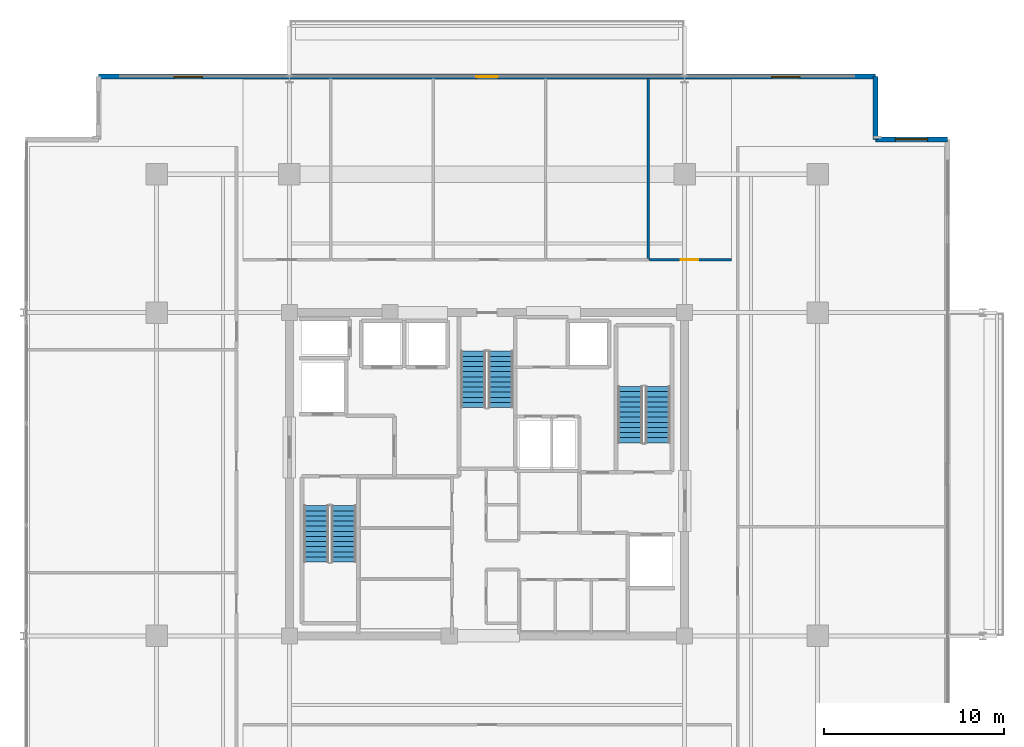
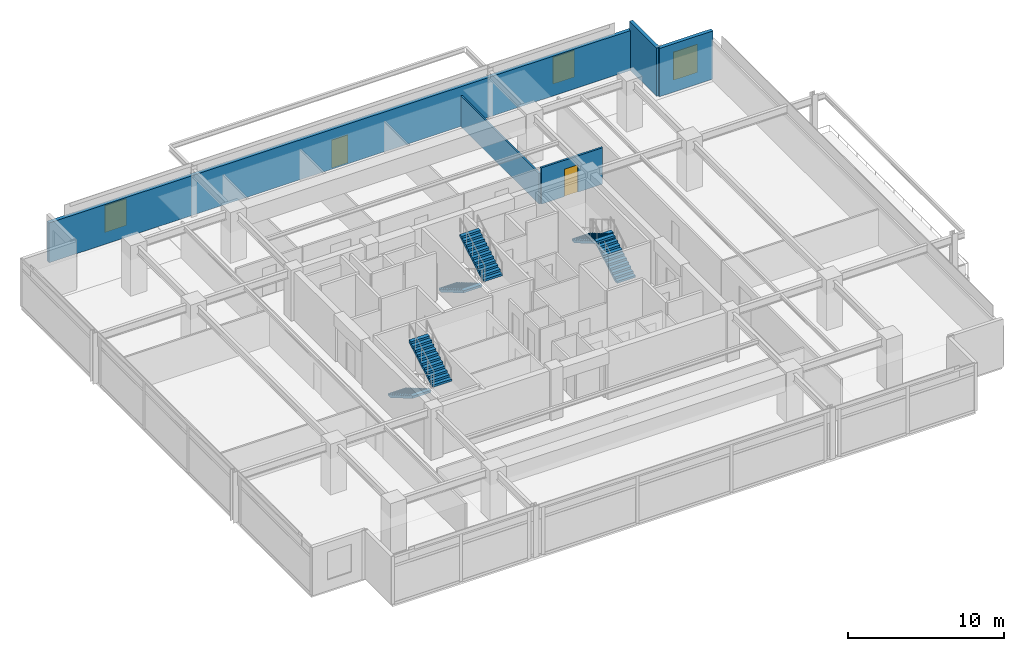
# One storey, part 17 of 21: 6 stair flights, 5 walls, 3 windows, 2 doors, 5 openings, 3 elements without a shape of their own.
"""IFC4 building model written with IfcOpenShell, lengths in metres."""

from ifc_helpers import new_model, si_unit, direction, frame, frame_2d, origin, place, context, subcontext, project, spatial, polyline, rectangle, outline, extrude, material, layer, layer_set, type_object, element, fill, aggregate, save


model = new_model("IFC4")

# Units and contexts
model_context = context("Model", 3, precision=1e-05, world=origin(), true_north=direction((0.0, 1.0)))
body_context = subcontext(model_context, "Body", "Model", "MODEL_VIEW")
ifc_project = project(units=[si_unit("LENGTHUNIT", "METRE"), si_unit("AREAUNIT", "SQUARE_METRE"), si_unit("VOLUMEUNIT", "CUBIC_METRE"), si_unit("PLANEANGLEUNIT", "RADIAN"), si_unit("MASSUNIT", "GRAM", prefix="KILO")], contexts=[model_context])

# Site, building, storey
site_placement = place(None, origin())
site = spatial("IfcSite", under=ifc_project, at=site_placement, CompositionType="ELEMENT")
building_placement = place(site_placement, origin())
building = spatial("IfcBuilding", under=site, at=building_placement, Name="Kovane Verandah Tower", CompositionType="ELEMENT")
storey_placement = place(building_placement, frame((0.0, 0.0, 283.199951171875)))
storey = spatial("IfcBuildingStorey", under=building, at=storey_placement, Name="L66", CompositionType="ELEMENT", Elevation=283.199951171875)

# Wall, opening, door
ifc_material_1 = material(Name="Fire-Rated Gypsum Stud Partition", Category="gypsum")
ifc_layer_1 = layer(ifc_material_1, 0.14990234375)
ifc_layer_set_1 = layer_set([ifc_layer_1], Name="Fire-Rated Gypsum Stud Partition")
wall_type_1 = type_object("IfcWallType", Name="WL-COR-150", PredefinedType="PARTITIONING", material=ifc_layer_set_1)
wall_1_placement = place(storey_placement, frame((49.0458984375, 39.449951171875, 0.0), z_axis=(0.0, 0.0, 1.0), x_axis=(1.0, 0.0, 0.0)))
wall_1 = element("IfcWall", 1, at=wall_1_placement, inside=storey, type_object=wall_type_1, Name="L66 Breakout Pantry N5 Corridor Partition", PredefinedType="PARTITIONING", context=body_context, shape_type="SweptSolid", body=[
    extrude(rectangle(XDim=4.55419921875, YDim=0.14990234375, at=frame_2d((2.277099609375, 0.0))), origin(), (0.0, 0.0, 1.0), 2.85009765625),
])
opening_1_placement = place(wall_1_placement, frame((1.72705078125, 0.0, 0.0)))
opening_1 = element("IfcOpeningElement", 2, at=opening_1_placement, cuts=wall_1, Name="Opening DR-L66-027", PredefinedType="OPENING", context=body_context, shape_type="SweptSolid", body=[
    extrude(rectangle(XDim=1.0, YDim=2.14990234375, at=frame_2d((0.5, 1.074951171875))), frame((0.0, 0.074951171875, 0.0), z_axis=(0.0, -1.0, 0.0), x_axis=(1.0, 0.0, 0.0)), (0.0, 0.0, 1.0), 0.14990234375),
])
ifc_material_2 = material(Name="FSC Spotted-Gum Timber Fire-Rated Office Door", Category="wood")
door_type_1 = type_object("IfcDoorType", Name="DR-OFF-1000", OperationType="SINGLE_SWING_LEFT", PredefinedType="DOOR", material=ifc_material_2)
door_1_placement = place(opening_1_placement, origin())
door_1 = element("IfcDoor", 3, at=door_1_placement, inside=storey, type_object=door_type_1, Name="L66 Breakout Pantry N5 Entrance Door", OperationType="SINGLE_SWING_RIGHT", OverallHeight=2.14990234375, OverallWidth=1.0, PredefinedType="DOOR", context=body_context, shape_type="SweptSolid", body=[
    extrude(rectangle(XDim=1.0, YDim=2.14990234375, at=frame_2d((0.5, 1.074951171875))), frame((0.0, 0.02490234375, 0.0), z_axis=(0.0, -1.0, 0.0), x_axis=(1.0, 0.0, 0.0)), (0.0, 0.0, 1.0), 0.050048828125),
])
fill(opening_1, door_1)

# Wall
ifc_material_3 = material(Name="Acoustic Fire-Rated Gypsum Partition", Category="gypsum")
ifc_layer_2 = layer(ifc_material_3, 0.1201171875)
ifc_layer_set_2 = layer_set([ifc_layer_2], Name="Acoustic Fire-Rated Gypsum Partition")
wall_type_2 = type_object("IfcWallType", Name="WL-PART-120", PredefinedType="PARTITIONING", material=ifc_layer_set_2)
wall_2_placement = place(storey_placement, frame((48.97607421875, 39.449951171875, 0.0), z_axis=(0.0, 0.0, 1.0), x_axis=(0.0, 1.0, 0.0)))
element("IfcWall", 4, at=wall_2_placement, inside=storey, type_object=wall_type_2, Name="L66 Focus Studio N4 Dividing Partition", PredefinedType="PARTITIONING", context=body_context, shape_type="SweptSolid", body=[
    extrude(rectangle(XDim=10.09033203125, YDim=0.1201171875, at=frame_2d((5.045166015625, 0.0))), origin(), (0.0, 0.0, 1.0), 2.4150390625),
])

# Wall, openings, door, windows
ifc_material_4 = material(Name="Concrete C45/55 Insulated Spandrel Wall", Category="concrete")
ifc_layer_3 = layer(ifc_material_4, 0.260009765625)
ifc_layer_set_3 = layer_set([ifc_layer_3], Name="Concrete C45/55 Insulated Spandrel Wall")
wall_type_3 = type_object("IfcWallType", Name="WL-SPANDREL-260", PredefinedType="PARAPET", material=ifc_layer_set_3)
wall_3_placement = place(storey_placement, frame((61.63134765625, 49.640380859375, 0.0), z_axis=(0.0, 0.0, 1.0), x_axis=(-1.0, 0.0, 0.0)))
wall_3 = element("IfcWall", 5, at=wall_3_placement, inside=storey, type_object=wall_type_3, Name="L66 N Verandah Access Facade Wall", PredefinedType="PARAPET", context=body_context, shape_type="SweptSolid", body=[
    extrude(rectangle(XDim=43.2626953125, YDim=0.260009765625, at=frame_2d((21.63134765625, 0.0))), origin(), (0.0, 0.0, 1.0), 3.122802734375),
])
opening_2_placement = place(wall_3_placement, frame((4.199951171875, 0.0, 0.85009765625)))
opening_2 = element("IfcOpeningElement", 6, at=opening_2_placement, cuts=wall_3, Name="Opening W-02", PredefinedType="OPENING", context=body_context, shape_type="SweptSolid", body=[
    extrude(rectangle(XDim=1.60009765625, YDim=2.10009765625, at=frame_2d((0.800048828125, 1.050048828125))), frame((0.0, 0.1298828125, 0.0), z_axis=(0.0, -1.0, 0.0), x_axis=(1.0, 0.0, 0.0)), (0.0, 0.0, 1.0), 0.260009765625),
])
opening_3_placement = place(wall_3_placement, frame((21.03125, 0.0, 0.0)))
opening_3 = element("IfcOpeningElement", 7, at=opening_3_placement, cuts=wall_3, Name="Opening DR-L66-002", PredefinedType="OPENING", context=body_context, shape_type="SweptSolid", body=[
    extrude(rectangle(XDim=1.199951171875, YDim=2.199951171875, at=frame_2d((0.60009765625, 1.10009765625))), frame((0.0, 0.1298828125, 0.0), z_axis=(0.0, -1.0, 0.0), x_axis=(1.0, 0.0, 0.0)), (0.0, 0.0, 1.0), 0.260009765625),
])
opening_4_placement = place(wall_3_placement, frame((37.462646484375, 0.0, 0.85009765625)))
opening_4 = element("IfcOpeningElement", 8, at=opening_4_placement, cuts=wall_3, Name="Opening W-02", PredefinedType="OPENING", context=body_context, shape_type="SweptSolid", body=[
    extrude(rectangle(XDim=1.60009765625, YDim=2.10009765625, at=frame_2d((0.800048828125, 1.050048828125))), frame((0.0, 0.1298828125, 0.0), z_axis=(0.0, -1.0, 0.0), x_axis=(1.0, 0.0, 0.0)), (0.0, 0.0, 1.0), 0.260009765625),
])
ifc_material_5 = material(Name="Cyclone-Rated Glazed Balcony Leaf Door", Category="aluminium")
door_type_2 = type_object("IfcDoorType", Name="DR-BAL-1200x2200", OperationType="SINGLE_SWING_LEFT", PredefinedType="DOOR", material=ifc_material_5)
door_2_placement = place(opening_3_placement, origin())
door_2 = element("IfcDoor", 9, at=door_2_placement, inside=storey, type_object=door_type_2, Name="L66 N Planted Balcony Access Door", OperationType="SINGLE_SWING_LEFT", OverallHeight=2.199951171875, OverallWidth=1.199951171875, PredefinedType="DOOR", context=body_context, shape_type="SweptSolid", body=[
    extrude(rectangle(XDim=1.199951171875, YDim=2.199951171875, at=frame_2d((0.60009765625, 1.10009765625))), frame((0.0, 0.02490234375, 0.0), z_axis=(0.0, -1.0, 0.0), x_axis=(1.0, 0.0, 0.0)), (0.0, 0.0, 1.0), 0.050048828125),
])
fill(opening_3, door_2)
ifc_material_6 = material(Name="Clear Low-E Laminated Double Glazing in Anodised Frame", Category="glass")
window_type_1 = type_object("IfcWindowType", Name="WN-OPER-1600x2100", PartitioningType="SINGLE_PANEL", PredefinedType="WINDOW", material=ifc_material_6)
window_1_placement = place(opening_2_placement, origin())
window_1 = element("IfcWindow", 10, at=window_1_placement, inside=storey, type_object=window_type_1, Name="L66 N Verandah View Window 1", OverallHeight=2.10009765625, OverallWidth=1.60009765625, PartitioningType="SINGLE_PANEL", PredefinedType="WINDOW", context=body_context, shape_type="SweptSolid", body=[
    extrude(rectangle(XDim=1.60009765625, YDim=2.10009765625, at=frame_2d((0.800048828125, 1.050048828125))), frame((0.0, 0.030029296875, 0.0), z_axis=(0.0, -1.0, 0.0), x_axis=(1.0, 0.0, 0.0)), (0.0, 0.0, 1.0), 0.06005859375),
])
fill(opening_2, window_1)
window_2_placement = place(opening_4_placement, origin())
window_2 = element("IfcWindow", 11, at=window_2_placement, inside=storey, type_object=window_type_1, Name="L66 N Verandah View Window 2", OverallHeight=2.10009765625, OverallWidth=1.60009765625, PartitioningType="SINGLE_PANEL", PredefinedType="WINDOW", context=body_context, shape_type="SweptSolid", body=[
    extrude(rectangle(XDim=1.60009765625, YDim=2.10009765625, at=frame_2d((0.800048828125, 1.050048828125))), frame((0.0, 0.030029296875, 0.0), z_axis=(0.0, -1.0, 0.0), x_axis=(1.0, 0.0, 0.0)), (0.0, 0.0, 1.0), 0.06005859375),
])
fill(opening_4, window_2)

# Wall, opening, window
wall_4_placement = place(storey_placement, frame((65.63134765625, 46.140380859375, 0.0), z_axis=(0.0, 0.0, 1.0), x_axis=(-1.0, 0.0, 0.0)))
wall_4 = element("IfcWall", 12, at=wall_4_placement, inside=storey, type_object=wall_type_3, Name="L66 NE Notch Cheek Wall 1", PredefinedType="PARAPET", context=body_context, shape_type="SweptSolid", body=[
    extrude(rectangle(XDim=4.0, YDim=0.260009765625, at=frame_2d((2.0, 0.0))), origin(), (0.0, 0.0, 1.0), 3.78515625),
])
opening_5_placement = place(wall_4_placement, frame((1.10009765625, 0.0, 0.85009765625)))
opening_5 = element("IfcOpeningElement", 13, at=opening_5_placement, cuts=wall_4, Name="Opening W-03", PredefinedType="OPENING", context=body_context, shape_type="SweptSolid", body=[
    extrude(rectangle(XDim=1.800048828125, YDim=2.199951171875, at=frame_2d((0.89990234375, 1.10009765625))), frame((0.0, 0.1298828125, 0.0), z_axis=(0.0, -1.0, 0.0), x_axis=(1.0, 0.0, 0.0)), (0.0, 0.0, 1.0), 0.260009765625),
])
window_type_2 = type_object("IfcWindowType", Name="WN-NOTCH-1800x2200", PartitioningType="SINGLE_PANEL", PredefinedType="WINDOW", material=ifc_material_6)
window_3_placement = place(opening_5_placement, origin())
window_3 = element("IfcWindow", 14, at=window_3_placement, inside=storey, type_object=window_type_2, Name="L66 NE Re-Entrant Corner Operable Window", OverallHeight=2.199951171875, OverallWidth=1.800048828125, PartitioningType="SINGLE_PANEL", PredefinedType="WINDOW", context=body_context, shape_type="SweptSolid", body=[
    extrude(rectangle(XDim=1.800048828125, YDim=2.199951171875, at=frame_2d((0.89990234375, 1.10009765625))), frame((0.0, 0.030029296875, 0.0), z_axis=(0.0, -1.0, 0.0), x_axis=(1.0, 0.0, 0.0)), (0.0, 0.0, 1.0), 0.06005859375),
])
fill(opening_5, window_3)

# Wall
wall_5_placement = place(storey_placement, frame((61.63134765625, 46.140380859375, 0.0), z_axis=(0.0, 0.0, 1.0), x_axis=(0.0, 1.0, 0.0)))
element("IfcWall", 15, at=wall_5_placement, inside=storey, type_object=wall_type_3, Name="L66 NE Notch Cheek Wall 2", PredefinedType="PARAPET", context=body_context, shape_type="SweptSolid", body=[
    extrude(rectangle(XDim=3.5, YDim=0.260009765625, at=frame_2d((1.75, 0.0))), origin(), (0.0, 0.0, 1.0), 3.78515625),
])

# Stair, stair flights
ifc_material_7 = material(Name="Concrete C45/55", Category="concrete")
stair_type = type_object("IfcStairType", Name="ST-CORE-1380", PredefinedType="HALF_TURN_STAIR", material=ifc_material_7)
stair_1_placement = place(storey_placement, origin())
stair_1 = element("IfcStair", 16, at=stair_1_placement, inside=storey, type_object=stair_type, Name="L66 Exit Stair ST-01", PredefinedType="HALF_TURN_STAIR")
stair_flight_type = type_object("IfcStairFlightType", Name="STF-CORE-1380", PredefinedType="STRAIGHT", material=ifc_material_7)
stair_flight_1_placement = place(storey_placement, frame((30.489990234375, 25.75, 0.0), z_axis=(0.0, 0.0, 1.0), x_axis=(0.0, -1.0, 0.0)))
stair_flight_1 = element("IfcStairFlight", 17, at=stair_flight_1_placement, type_object=stair_flight_type, Name="ST-01 flight 1", NumberOfRisers=12, NumberOfTreads=11, PredefinedType="STRAIGHT", RiserHeight=0.166666667, TreadLength=0.285, context=body_context, shape_type="SweptSolid", body=[
    extrude(outline(polyline([(0.0, 0.0), (0.0, 0.166748046875), (0.284912109375, 0.166748046875), (0.284912109375, 0.333251953125), (0.570068359375, 0.333251953125), (0.570068359375, 0.5), (0.85498046875, 0.5), (0.85498046875, 0.666748046875), (1.139892578125, 0.666748046875), (1.139892578125, 0.833251953125), (1.425048828125, 0.833251953125), (1.425048828125, 1.0), (1.7099609375, 1.0), (1.7099609375, 1.166748046875), (1.9951171875, 1.166748046875), (1.9951171875, 1.333251953125), (2.280029296875, 1.333251953125), (2.280029296875, 1.5), (2.56494140625, 1.5), (2.56494140625, 1.666748046875), (2.85009765625, 1.666748046875), (2.85009765625, 1.833251953125), (3.135009765625, 1.833251953125), (3.135009765625, 2.0), (3.135009765625, 1.65966796875), (0.296875, 0.0), (0.0, 0.0)])), frame((0.0, 0.68994140625, 0.0), z_axis=(0.0, -1.0, 0.0), x_axis=(1.0, 0.0, 0.0)), (0.0, 0.0, 1.0), 1.3798828125),
])
stair_flight_2_placement = place(storey_placement, frame((32.030029296875, 22.614990234375, 2.0), z_axis=(0.0, 0.0, 1.0), x_axis=(0.0, 1.0, 0.0)))
stair_flight_2 = element("IfcStairFlight", 18, at=stair_flight_2_placement, type_object=stair_flight_type, Name="ST-01 flight 2", NumberOfRisers=12, NumberOfTreads=11, PredefinedType="STRAIGHT", RiserHeight=0.166666667, TreadLength=0.285, context=body_context, shape_type="SweptSolid", body=[
    extrude(outline(polyline([(0.0, 0.0), (0.0, 0.166748046875), (0.284912109375, 0.166748046875), (0.284912109375, 0.333251953125), (0.570068359375, 0.333251953125), (0.570068359375, 0.5), (0.85498046875, 0.5), (0.85498046875, 0.666748046875), (1.139892578125, 0.666748046875), (1.139892578125, 0.833251953125), (1.425048828125, 0.833251953125), (1.425048828125, 1.0), (1.7099609375, 1.0), (1.7099609375, 1.166748046875), (1.9951171875, 1.166748046875), (1.9951171875, 1.333251953125), (2.280029296875, 1.333251953125), (2.280029296875, 1.5), (2.56494140625, 1.5), (2.56494140625, 1.666748046875), (2.85009765625, 1.666748046875), (2.85009765625, 1.833251953125), (3.135009765625, 1.833251953125), (3.135009765625, 2.0), (3.135009765625, 1.65966796875), (0.296875, 0.0), (0.0, 0.0)])), frame((0.0, 0.68994140625, 0.0), z_axis=(0.0, -1.0, 0.0), x_axis=(1.0, 0.0, 0.0)), (0.0, 0.0, 1.0), 1.3798828125),
])
aggregate(stair_1, [stair_flight_1, stair_flight_2])

stair_2_placement = place(storey_placement, origin())
stair_2 = element("IfcStair", 19, at=stair_2_placement, inside=storey, type_object=stair_type, Name="L66 Exit Stair ST-02", PredefinedType="HALF_TURN_STAIR")
stair_flight_3_placement = place(storey_placement, frame((49.510009765625, 29.25, 0.0), z_axis=(0.0, 0.0, 1.0), x_axis=(0.0, 1.0, 0.0)))
stair_flight_3 = element("IfcStairFlight", 20, at=stair_flight_3_placement, type_object=stair_flight_type, Name="ST-02 flight 1", NumberOfRisers=12, NumberOfTreads=11, PredefinedType="STRAIGHT", RiserHeight=0.166666667, TreadLength=0.285, context=body_context, shape_type="SweptSolid", body=[
    extrude(outline(polyline([(0.0, 0.0), (0.0, 0.166748046875), (0.284912109375, 0.166748046875), (0.284912109375, 0.333251953125), (0.570068359375, 0.333251953125), (0.570068359375, 0.5), (0.85498046875, 0.5), (0.85498046875, 0.666748046875), (1.139892578125, 0.666748046875), (1.139892578125, 0.833251953125), (1.425048828125, 0.833251953125), (1.425048828125, 1.0), (1.7099609375, 1.0), (1.7099609375, 1.166748046875), (1.9951171875, 1.166748046875), (1.9951171875, 1.333251953125), (2.280029296875, 1.333251953125), (2.280029296875, 1.5), (2.56494140625, 1.5), (2.56494140625, 1.666748046875), (2.85009765625, 1.666748046875), (2.85009765625, 1.833251953125), (3.135009765625, 1.833251953125), (3.135009765625, 2.0), (3.135009765625, 1.65966796875), (0.296875, 0.0), (0.0, 0.0)])), frame((0.0, 0.68994140625, 0.0), z_axis=(0.0, -1.0, 0.0), x_axis=(1.0, 0.0, 0.0)), (0.0, 0.0, 1.0), 1.3798828125),
])
stair_flight_4_placement = place(storey_placement, frame((47.969970703125, 32.385009765625, 2.0), z_axis=(0.0, 0.0, 1.0), x_axis=(0.0, -1.0, 0.0)))
stair_flight_4 = element("IfcStairFlight", 21, at=stair_flight_4_placement, type_object=stair_flight_type, Name="ST-02 flight 2", NumberOfRisers=12, NumberOfTreads=11, PredefinedType="STRAIGHT", RiserHeight=0.166666667, TreadLength=0.285, context=body_context, shape_type="SweptSolid", body=[
    extrude(outline(polyline([(0.0, 0.0), (0.0, 0.166748046875), (0.284912109375, 0.166748046875), (0.284912109375, 0.333251953125), (0.570068359375, 0.333251953125), (0.570068359375, 0.5), (0.85498046875, 0.5), (0.85498046875, 0.666748046875), (1.139892578125, 0.666748046875), (1.139892578125, 0.833251953125), (1.425048828125, 0.833251953125), (1.425048828125, 1.0), (1.7099609375, 1.0), (1.7099609375, 1.166748046875), (1.9951171875, 1.166748046875), (1.9951171875, 1.333251953125), (2.280029296875, 1.333251953125), (2.280029296875, 1.5), (2.56494140625, 1.5), (2.56494140625, 1.666748046875), (2.85009765625, 1.666748046875), (2.85009765625, 1.833251953125), (3.135009765625, 1.833251953125), (3.135009765625, 2.0), (3.135009765625, 1.65966796875), (0.296875, 0.0), (0.0, 0.0)])), frame((0.0, 0.68994140625, 0.0), z_axis=(0.0, -1.0, 0.0), x_axis=(1.0, 0.0, 0.0)), (0.0, 0.0, 1.0), 1.3798828125),
])
aggregate(stair_2, [stair_flight_3, stair_flight_4])

stair_3_placement = place(storey_placement, origin())
stair_3 = element("IfcStair", 22, at=stair_3_placement, inside=storey, type_object=stair_type, Name="L66 Exit Stair ST-03", PredefinedType="HALF_TURN_STAIR")
stair_flight_5_placement = place(storey_placement, frame((39.22998046875, 34.35009765625, 0.0), z_axis=(0.0, 0.0, 1.0), x_axis=(0.0, -1.0, 0.0)))
stair_flight_5 = element("IfcStairFlight", 23, at=stair_flight_5_placement, type_object=stair_flight_type, Name="ST-03 flight 1", NumberOfRisers=12, NumberOfTreads=11, PredefinedType="STRAIGHT", RiserHeight=0.166666667, TreadLength=0.285, context=body_context, shape_type="SweptSolid", body=[
    extrude(outline(polyline([(0.0, 0.0), (0.0, 0.166748046875), (0.284912109375, 0.166748046875), (0.284912109375, 0.333251953125), (0.570068359375, 0.333251953125), (0.570068359375, 0.5), (0.85498046875, 0.5), (0.85498046875, 0.666748046875), (1.139892578125, 0.666748046875), (1.139892578125, 0.833251953125), (1.425048828125, 0.833251953125), (1.425048828125, 1.0), (1.7099609375, 1.0), (1.7099609375, 1.166748046875), (1.9951171875, 1.166748046875), (1.9951171875, 1.333251953125), (2.280029296875, 1.333251953125), (2.280029296875, 1.5), (2.56494140625, 1.5), (2.56494140625, 1.666748046875), (2.85009765625, 1.666748046875), (2.85009765625, 1.833251953125), (3.135009765625, 1.833251953125), (3.135009765625, 2.0), (3.135009765625, 1.65966796875), (0.296875, 0.0), (0.0, 0.0)])), frame((0.0, 0.68994140625, 0.0), z_axis=(0.0, -1.0, 0.0), x_axis=(1.0, 0.0, 0.0)), (0.0, 0.0, 1.0), 1.3798828125),
])
stair_flight_6_placement = place(storey_placement, frame((40.77001953125, 31.215087890625, 2.0), z_axis=(0.0, 0.0, 1.0), x_axis=(0.0, 1.0, 0.0)))
stair_flight_6 = element("IfcStairFlight", 24, at=stair_flight_6_placement, type_object=stair_flight_type, Name="ST-03 flight 2", NumberOfRisers=12, NumberOfTreads=11, PredefinedType="STRAIGHT", RiserHeight=0.166666667, TreadLength=0.285, context=body_context, shape_type="SweptSolid", body=[
    extrude(outline(polyline([(0.0, 0.0), (0.0, 0.166748046875), (0.284912109375, 0.166748046875), (0.284912109375, 0.333251953125), (0.570068359375, 0.333251953125), (0.570068359375, 0.5), (0.85498046875, 0.5), (0.85498046875, 0.666748046875), (1.139892578125, 0.666748046875), (1.139892578125, 0.833251953125), (1.425048828125, 0.833251953125), (1.425048828125, 1.0), (1.7099609375, 1.0), (1.7099609375, 1.166748046875), (1.9951171875, 1.166748046875), (1.9951171875, 1.333251953125), (2.280029296875, 1.333251953125), (2.280029296875, 1.5), (2.56494140625, 1.5), (2.56494140625, 1.666748046875), (2.85009765625, 1.666748046875), (2.85009765625, 1.833251953125), (3.135009765625, 1.833251953125), (3.135009765625, 2.0), (3.135009765625, 1.65966796875), (0.296875, 0.0), (0.0, 0.0)])), frame((0.0, 0.68994140625, 0.0), z_axis=(0.0, -1.0, 0.0), x_axis=(1.0, 0.0, 0.0)), (0.0, 0.0, 1.0), 1.3798828125),
])
aggregate(stair_3, [stair_flight_5, stair_flight_6])

save(model, "model.ifc")
